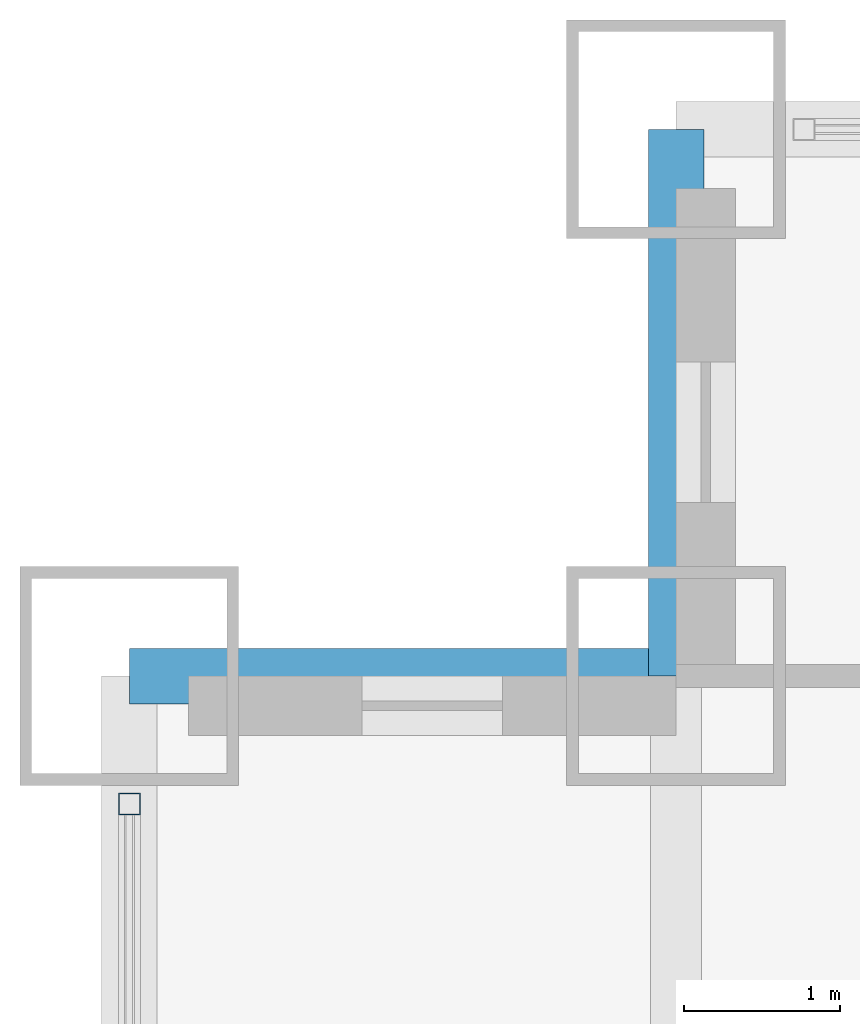
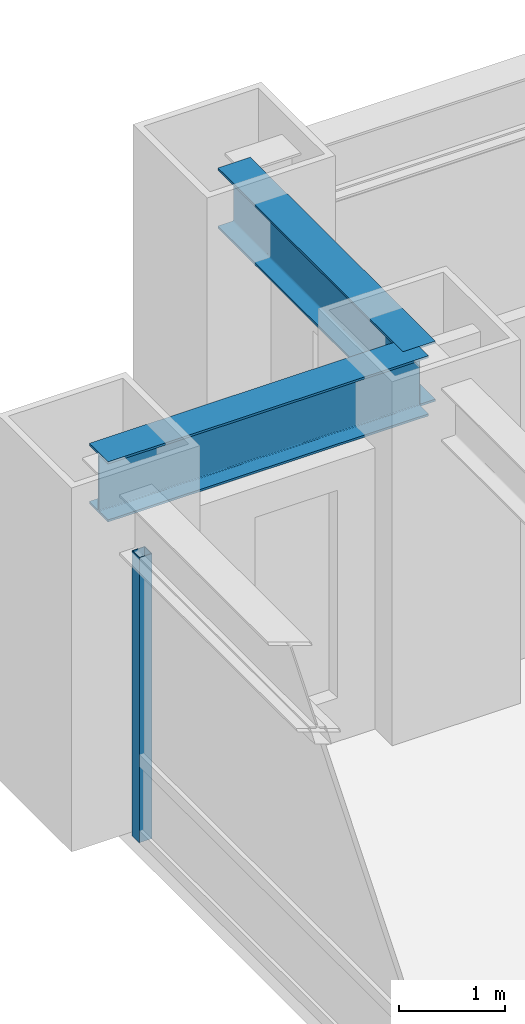
# One storey, part 14 of 28: 2 beams, 1 member, 1 element without a shape of its own.
"""IFC4 building model written with IfcOpenShell, lengths in metres."""

from ifc_helpers import new_model, si_unit, direction, frame, origin, origin_2d, place, context, subcontext, project, spatial, hollow_rectangle, i_section, extrude, source, transform, mapped, material, material_profile, profile_set, type_object, element, aggregate, save


model = new_model("IFC4")

# Units and contexts
model_context = context("Model", 3, precision=1e-05, world=origin(), true_north=direction((0.0, 1.0)))
body_context = subcontext(model_context, "Body", "Model", "MODEL_VIEW")
ifc_project = project(units=[si_unit("LENGTHUNIT", "METRE"), si_unit("AREAUNIT", "SQUARE_METRE"), si_unit("VOLUMEUNIT", "CUBIC_METRE"), si_unit("PLANEANGLEUNIT", "RADIAN"), si_unit("MASSUNIT", "GRAM", prefix="KILO")], contexts=[model_context])

# Site, building, storey
site_placement = place(None, origin())
site = spatial("IfcSite", under=ifc_project, at=site_placement, CompositionType="ELEMENT")
building_placement = place(site_placement, origin())
building = spatial("IfcBuilding", under=site, at=building_placement, Name="Khorayat Bourse Tower", CompositionType="ELEMENT")
storey_placement = place(building_placement, frame((0.0, 0.0, 66.199951171875)))
storey = spatial("IfcBuildingStorey", under=building, at=storey_placement, Name="L14", CompositionType="ELEMENT", Elevation=66.199951171875)

# Beams
ifc_material_1 = material(Name="Steel ASTM A992 Grade 50", Category="steel")
ifc_material_profile_1 = material_profile(ifc_material_1, i_section(OverallWidth=0.35498046875, OverallDepth=0.695068359375, WebThickness=0.015380859375, FlangeThickness=0.02490234375, FilletRadius=0.01806640625, at=origin_2d()), Name="W690X217")
ifc_profile_set_1 = profile_set([ifc_material_profile_1], Name="Steel ASTM A992 Grade 50")
beam_type = type_object("IfcBeamType", Name="BM-SPAN-690", PredefinedType="SPANDREL", material=ifc_profile_set_1)
shared_shape_1 = source(origin(), body_context, "Body", "SweptSolid", [
    extrude(i_section(OverallWidth=0.35498046875, OverallDepth=0.695068359375, WebThickness=0.015380859375, FlangeThickness=0.02490234375, FilletRadius=0.01806640625, at=origin_2d()), origin(), (0.0, 0.0, 1.0), 3.5),
])
for number, where, z_axis, x_axis, name in (
    (1, (-28.5, 28.5, 3.592529296875), (0.0, 1.0, 0.0), (-1.0, 0.0, 0.0), "L14 BM-SPAN-690 BM-L14-SPN-052"),
    (2, (-32.0, 28.5, 3.592529296875), (1.0, 0.0, 0.0), (0.0, 1.0, 0.0), "L14 BM-SPAN-690 BM-L14-SPN-053"),
):
    element("IfcBeam", number, at=place(storey_placement, frame(where, z_axis=z_axis, x_axis=x_axis)), inside=storey, type_object=beam_type, Name=name, PredefinedType="SPANDREL", context=body_context, shape_type="MappedRepresentation", body=[
        mapped(shared_shape_1, transform((0.0, 0.0, 0.0), scale=1.0)),
    ])

# Curtain wall, member
ifc_material_2 = material(Name="Aluminium EN AW-6063 T6", Category="aluminium")
curtain_wall_type = type_object("IfcCurtainWallType", Name="CW-SYS-02", PredefinedType="NOTDEFINED", material=ifc_material_2)
curtain_wall_placement = place(storey_placement, origin())
curtain_wall = element("IfcCurtainWall", 3, at=curtain_wall_placement, inside=storey, type_object=curtain_wall_type, Name="L14 Curtain Wall CW-L14-W1", PredefinedType="NOTDEFINED")
ifc_material_profile_2 = material_profile(ifc_material_2, hollow_rectangle(XDim=0.139892578125, YDim=0.139892578125, WallThickness=0.006103515625, at=origin_2d()), Name="ALU 140x140x6")
ifc_profile_set_2 = profile_set([ifc_material_profile_2], Name="Aluminium EN AW-6063 T6")
member_type = type_object("IfcMemberType", Name="CWM-VERT-140", PredefinedType="MULLION", material=ifc_profile_set_2)
shared_shape_2 = source(origin(), body_context, "Body", "SweptSolid", [
    extrude(hollow_rectangle(XDim=0.139892578125, YDim=0.139892578125, WallThickness=0.006103515625, at=origin_2d()), origin(), (0.0, 0.0, 1.0), 3.2900390625),
])
member_placement = place(storey_placement, frame((-32.0, 27.679931640625, 0.0), z_axis=(0.0, 0.0, 1.0), x_axis=(-1.0, 0.0, 0.0)))
member = element("IfcMember", 4, at=member_placement, type_object=member_type, Name="CW-L14-W1 Vertical Mullion 4", PredefinedType="MULLION", context=body_context, shape_type="MappedRepresentation", body=[
    mapped(shared_shape_2, transform((0.0, 0.0, 0.0), scale=1.0)),
])
aggregate(curtain_wall, [member])

save(model, "model.ifc")
